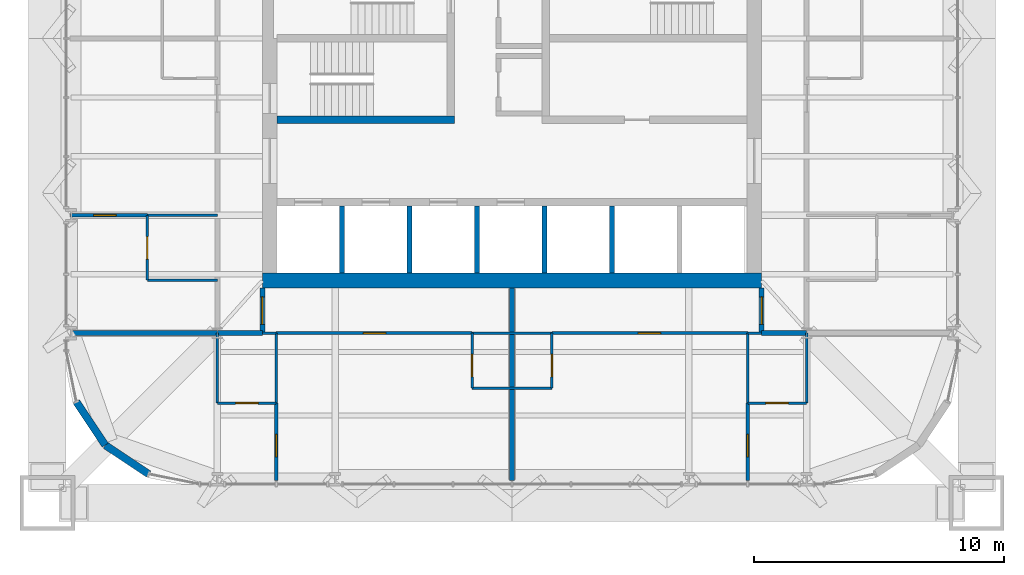
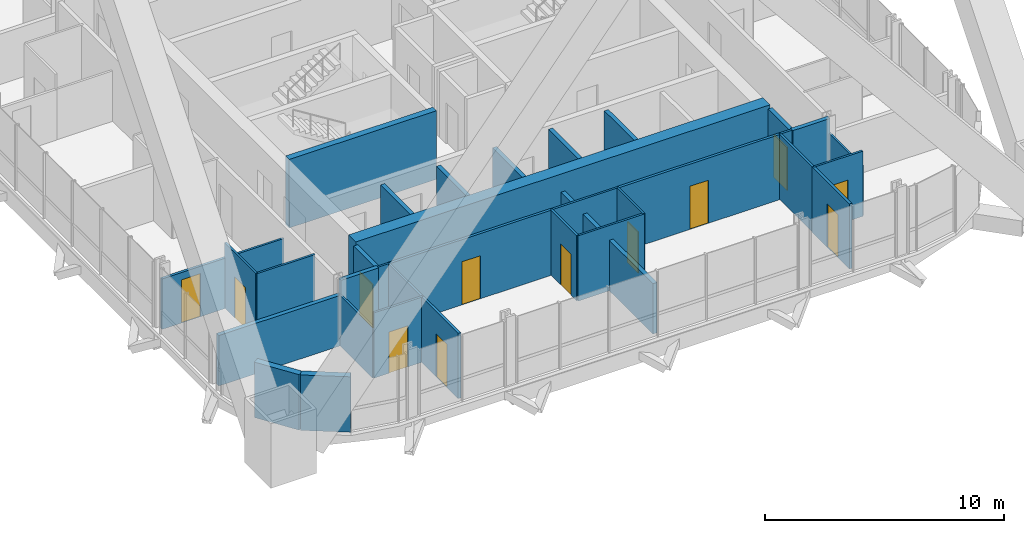
# One storey, part 19 of 23: 35 walls, 12 doors, 12 openings.
"""IFC4 building model written with IfcOpenShell, lengths in metres."""

from ifc_helpers import new_model, si_unit, direction, frame, frame_2d, origin, place, context, subcontext, project, spatial, rectangle, extrude, material, layer, layer_set, type_object, element, fill, save


model = new_model("IFC4")

# Units and contexts
model_context = context("Model", 3, precision=1e-05, world=origin(), true_north=direction((0.0, 1.0)))
body_context = subcontext(model_context, "Body", "Model", "MODEL_VIEW")
ifc_project = project(units=[si_unit("LENGTHUNIT", "METRE"), si_unit("AREAUNIT", "SQUARE_METRE"), si_unit("VOLUMEUNIT", "CUBIC_METRE"), si_unit("PLANEANGLEUNIT", "RADIAN"), si_unit("MASSUNIT", "GRAM", prefix="KILO")], contexts=[model_context])

# Site, building, storey
site_placement = place(None, origin())
site = spatial("IfcSite", under=ifc_project, at=site_placement, CompositionType="ELEMENT")
building_placement = place(site_placement, origin())
building = spatial("IfcBuilding", under=site, at=building_placement, Name="Turquesa Mirador Hotel Tower", CompositionType="ELEMENT")
storey_placement = place(building_placement, frame((0.0, 0.0, 226.699951171875)))
storey = spatial("IfcBuildingStorey", under=building, at=storey_placement, Name="L61", CompositionType="ELEMENT", Elevation=226.699951171875)

# Walls
ifc_material_1 = material(Name="Gypsum board on steel studs", Category="steel")
ifc_layer_1 = layer(ifc_material_1, 0.10009765625)
ifc_layer_set_1 = layer_set([ifc_layer_1], Name="BATHROOM WALL 100")
wall_type_1 = type_object("IfcWallType", Name="BATHROOM WALL 100", PredefinedType="PARTITIONING", material=ifc_layer_set_1)
wall_1_placement = place(storey_placement, frame((45.0, 33.199951171875, 0.0), z_axis=(0.0, 0.0, 1.0), x_axis=(1.0, 0.0, 0.0)))
element("IfcWall", 1, at=wall_1_placement, inside=storey, type_object=wall_type_1, Name="Partition L61 003", PredefinedType="PARTITIONING", context=body_context, shape_type="SweptSolid", body=[
    extrude(rectangle(XDim=0.56005859375, YDim=0.10009765625, at=frame_2d((0.280029296875, 0.0))), origin(), (0.0, 0.0, 1.0), 3.330078125),
])
wall_2_placement = place(storey_placement, frame((53.39990234375, 33.199951171875, 0.0), z_axis=(0.0, 0.0, 1.0), x_axis=(1.0, 0.0, 0.0)))
element("IfcWall", 2, at=wall_2_placement, inside=storey, type_object=wall_type_1, Name="Partition L61 004", PredefinedType="PARTITIONING", context=body_context, shape_type="SweptSolid", body=[
    extrude(rectangle(XDim=3.2001953125, YDim=0.10009765625, at=frame_2d((1.60009765625, 0.0))), origin(), (0.0, 0.0, 1.0), 3.330078125),
])
wall_3_placement = place(storey_placement, frame((64.43994140625, 33.199951171875, 0.0), z_axis=(0.0, 0.0, 1.0), x_axis=(1.0, 0.0, 0.0)))
element("IfcWall", 3, at=wall_3_placement, inside=storey, type_object=wall_type_1, Name="Partition L61 005", PredefinedType="PARTITIONING", context=body_context, shape_type="SweptSolid", body=[
    extrude(rectangle(XDim=0.56005859375, YDim=0.10009765625, at=frame_2d((0.280029296875, 0.0))), origin(), (0.0, 0.0, 1.0), 3.330078125),
])
wall_4_placement = place(storey_placement, frame((53.39990234375, 31.0, 0.0), z_axis=(0.0, 0.0, 1.0), x_axis=(1.0, 0.0, 0.0)))
element("IfcWall", 4, at=wall_4_placement, inside=storey, type_object=wall_type_1, Name="Partition L61 012", PredefinedType="PARTITIONING", context=body_context, shape_type="SweptSolid", body=[
    extrude(rectangle(XDim=3.2001953125, YDim=0.10009765625, at=frame_2d((1.60009765625, 0.0))), origin(), (0.0, 0.0, 1.0), 3.330078125),
])

# Wall, opening, door
wall_5_placement = place(storey_placement, frame((43.199951171875, 30.39990234375, 0.0), z_axis=(0.0, 0.0, 1.0), x_axis=(1.0, 0.0, 0.0)))
wall_5 = element("IfcWall", 5, at=wall_5_placement, inside=storey, type_object=wall_type_1, Name="Partition L61 013", PredefinedType="PARTITIONING", context=body_context, shape_type="SweptSolid", body=[
    extrude(rectangle(XDim=2.360107421875, YDim=0.10009765625, at=frame_2d((1.18017578125, 0.0))), origin(), (0.0, 0.0, 1.0), 3.330078125),
])
opening_1_placement = place(wall_5_placement, frame((0.72998046875, 0.0, 0.0)))
opening_1 = element("IfcOpeningElement", 6, at=opening_1_placement, cuts=wall_5, Name="Opening D02", PredefinedType="OPENING", context=body_context, shape_type="SweptSolid", body=[
    extrude(rectangle(XDim=0.89990234375, YDim=2.10009765625, at=frame_2d((0.449951171875, 1.050048828125))), frame((0.0, 0.06005859375, 0.0), z_axis=(0.0, -1.0, 0.0), x_axis=(1.0, 0.0, 0.0)), (0.0, 0.0, 1.0), 0.1201171875),
])
ifc_material_2 = material(Name="Timber veneered door", Category="wood")
door_type_1 = type_object("IfcDoorType", Name="DOOR 900X2100 EN-SUITE", OperationType="SINGLE_SWING_RIGHT", PredefinedType="DOOR", material=ifc_material_2)
door_1_placement = place(opening_1_placement, origin())
door_1 = element("IfcDoor", 7, at=door_1_placement, inside=storey, type_object=door_type_1, Name="Door 6103B", OperationType="SINGLE_SWING_RIGHT", OverallHeight=2.10009765625, OverallWidth=0.89990234375, PredefinedType="DOOR", context=body_context, shape_type="SweptSolid", body=[
    extrude(rectangle(XDim=0.89990234375, YDim=2.10009765625, at=frame_2d((0.449951171875, 1.050048828125))), frame((0.0, 0.02490234375, 0.0), z_axis=(0.0, -1.0, 0.0), x_axis=(1.0, 0.0, 0.0)), (0.0, 0.0, 1.0), 0.050048828125),
])
fill(opening_1, door_1)

wall_6_placement = place(storey_placement, frame((64.43994140625, 30.39990234375, 0.0), z_axis=(0.0, 0.0, 1.0), x_axis=(1.0, 0.0, 0.0)))
wall_6 = element("IfcWall", 8, at=wall_6_placement, inside=storey, type_object=wall_type_1, Name="Partition L61 014", PredefinedType="PARTITIONING", context=body_context, shape_type="SweptSolid", body=[
    extrude(rectangle(XDim=2.360107421875, YDim=0.10009765625, at=frame_2d((1.18017578125, 0.0))), origin(), (0.0, 0.0, 1.0), 3.330078125),
])
opening_2_placement = place(wall_6_placement, frame((0.72998046875, 0.0, 0.0)))
opening_2 = element("IfcOpeningElement", 9, at=opening_2_placement, cuts=wall_6, Name="Opening D02", PredefinedType="OPENING", context=body_context, shape_type="SweptSolid", body=[
    extrude(rectangle(XDim=0.89990234375, YDim=2.10009765625, at=frame_2d((0.449951171875, 1.050048828125))), frame((0.0, 0.06005859375, 0.0), z_axis=(0.0, -1.0, 0.0), x_axis=(1.0, 0.0, 0.0)), (0.0, 0.0, 1.0), 0.1201171875),
])
door_2_placement = place(opening_2_placement, origin())
door_2 = element("IfcDoor", 10, at=door_2_placement, inside=storey, type_object=door_type_1, Name="Door 6104B", OperationType="SINGLE_SWING_RIGHT", OverallHeight=2.10009765625, OverallWidth=0.89990234375, PredefinedType="DOOR", context=body_context, shape_type="SweptSolid", body=[
    extrude(rectangle(XDim=0.89990234375, YDim=2.10009765625, at=frame_2d((0.449951171875, 1.050048828125))), frame((0.0, 0.02490234375, 0.0), z_axis=(0.0, -1.0, 0.0), x_axis=(1.0, 0.0, 0.0)), (0.0, 0.0, 1.0), 0.050048828125),
])
fill(opening_2, door_2)

# Walls
wall_7_placement = place(storey_placement, frame((40.39990234375, 37.919921875, 0.0), z_axis=(0.0, 0.0, 1.0), x_axis=(1.0, 0.0, 0.0)))
element("IfcWall", 11, at=wall_7_placement, inside=storey, type_object=wall_type_1, Name="Partition L61 015", PredefinedType="PARTITIONING", context=body_context, shape_type="SweptSolid", body=[
    extrude(rectangle(XDim=2.800048828125, YDim=0.10009765625, at=frame_2d((1.39990234375, 0.0))), origin(), (0.0, 0.0, 1.0), 2.5732421875),
])
wall_8_placement = place(storey_placement, frame((40.39990234375, 35.320068359375, 0.0), z_axis=(0.0, 0.0, 1.0), x_axis=(1.0, 0.0, 0.0)))
element("IfcWall", 12, at=wall_8_placement, inside=storey, type_object=wall_type_1, Name="Partition L61 019", PredefinedType="PARTITIONING", context=body_context, shape_type="SweptSolid", body=[
    extrude(rectangle(XDim=2.800048828125, YDim=0.10009765625, at=frame_2d((1.39990234375, 0.0))), origin(), (0.0, 0.0, 1.0), 3.330078125),
])

# Wall, opening, door
wall_9_placement = place(storey_placement, frame((53.39990234375, 31.0, 0.0), z_axis=(0.0, 0.0, 1.0), x_axis=(0.0, 1.0, 0.0)))
wall_9 = element("IfcWall", 13, at=wall_9_placement, inside=storey, type_object=wall_type_1, Name="Partition L61 043", PredefinedType="PARTITIONING", context=body_context, shape_type="SweptSolid", body=[
    extrude(rectangle(XDim=2.199951171875, YDim=0.10009765625, at=frame_2d((1.10009765625, 0.0))), origin(), (0.0, 0.0, 1.0), 3.330078125),
])
opening_3_placement = place(wall_9_placement, frame((0.449951171875, 0.0, 0.0)))
opening_3 = element("IfcOpeningElement", 14, at=opening_3_placement, cuts=wall_9, Name="Opening D06", PredefinedType="OPENING", context=body_context, shape_type="SweptSolid", body=[
    extrude(rectangle(XDim=0.89990234375, YDim=2.10009765625, at=frame_2d((0.449951171875, 1.050048828125))), frame((0.0, 0.06005859375, 0.0), z_axis=(0.0, -1.0, 0.0), x_axis=(1.0, 0.0, 0.0)), (0.0, 0.0, 1.0), 0.1201171875),
])
ifc_material_3 = material(Name="Laminate door", Category="wood")
door_type_2 = type_object("IfcDoorType", Name="DOOR 900X2100 WC", OperationType="SINGLE_SWING_LEFT", PredefinedType="DOOR", material=ifc_material_3)
door_3_placement = place(opening_3_placement, origin())
door_3 = element("IfcDoor", 15, at=door_3_placement, inside=storey, type_object=door_type_2, Name="Door 6103W", OperationType="SINGLE_SWING_LEFT", OverallHeight=2.10009765625, OverallWidth=0.89990234375, PredefinedType="DOOR", context=body_context, shape_type="SweptSolid", body=[
    extrude(rectangle(XDim=0.89990234375, YDim=2.10009765625, at=frame_2d((0.449951171875, 1.050048828125))), frame((0.0, 0.02490234375, 0.0), z_axis=(0.0, -1.0, 0.0), x_axis=(1.0, 0.0, 0.0)), (0.0, 0.0, 1.0), 0.050048828125),
])
fill(opening_3, door_3)

# Wall
wall_10_placement = place(storey_placement, frame((43.199951171875, 30.39990234375, 0.0), z_axis=(0.0, 0.0, 1.0), x_axis=(0.0, 1.0, 0.0)))
element("IfcWall", 16, at=wall_10_placement, inside=storey, type_object=wall_type_1, Name="Partition L61 047", PredefinedType="PARTITIONING", context=body_context, shape_type="SweptSolid", body=[
    extrude(rectangle(XDim=2.800048828125, YDim=0.10009765625, at=frame_2d((1.39990234375, 0.0))), origin(), (0.0, 0.0, 1.0), 2.5732421875),
])

# Wall, opening, door
wall_11_placement = place(storey_placement, frame((40.39990234375, 35.320068359375, 0.0), z_axis=(0.0, 0.0, 1.0), x_axis=(0.0, 1.0, 0.0)))
wall_11 = element("IfcWall", 17, at=wall_11_placement, inside=storey, type_object=wall_type_1, Name="Partition L61 051", PredefinedType="PARTITIONING", context=body_context, shape_type="SweptSolid", body=[
    extrude(rectangle(XDim=2.599853515625, YDim=0.10009765625, at=frame_2d((1.2998046875, 0.0))), origin(), (0.0, 0.0, 1.0), 3.330078125),
])
opening_4_placement = place(wall_11_placement, frame((0.85009765625, 0.0, 0.0)))
opening_4 = element("IfcOpeningElement", 18, at=opening_4_placement, cuts=wall_11, Name="Opening D02", PredefinedType="OPENING", context=body_context, shape_type="SweptSolid", body=[
    extrude(rectangle(XDim=0.89990234375, YDim=2.10009765625, at=frame_2d((0.449951171875, 1.050048828125))), frame((0.0, 0.06005859375, 0.0), z_axis=(0.0, -1.0, 0.0), x_axis=(1.0, 0.0, 0.0)), (0.0, 0.0, 1.0), 0.1201171875),
])
door_4_placement = place(opening_4_placement, origin())
door_4 = element("IfcDoor", 19, at=door_4_placement, inside=storey, type_object=door_type_1, Name="Door 6107B", OperationType="SINGLE_SWING_RIGHT", OverallHeight=2.10009765625, OverallWidth=0.89990234375, PredefinedType="DOOR", context=body_context, shape_type="SweptSolid", body=[
    extrude(rectangle(XDim=0.89990234375, YDim=2.10009765625, at=frame_2d((0.449951171875, 1.050048828125))), frame((0.0, 0.02490234375, 0.0), z_axis=(0.0, -1.0, 0.0), x_axis=(1.0, 0.0, 0.0)), (0.0, 0.0, 1.0), 0.050048828125),
])
fill(opening_4, door_4)

# Wall
wall_12_placement = place(storey_placement, frame((45.56005859375, 30.39990234375, 0.0), z_axis=(0.0, 0.0, 1.0), x_axis=(0.0, 1.0, 0.0)))
element("IfcWall", 20, at=wall_12_placement, inside=storey, type_object=wall_type_1, Name="Partition L61 053", PredefinedType="PARTITIONING", context=body_context, shape_type="SweptSolid", body=[
    extrude(rectangle(XDim=2.800048828125, YDim=0.10009765625, at=frame_2d((1.39990234375, 0.0))), origin(), (0.0, 0.0, 1.0), 3.330078125),
])

# Wall, opening, door
wall_13_placement = place(storey_placement, frame((56.60009765625, 31.0, 0.0), z_axis=(0.0, 0.0, 1.0), x_axis=(0.0, 1.0, 0.0)))
wall_13 = element("IfcWall", 21, at=wall_13_placement, inside=storey, type_object=wall_type_1, Name="Partition L61 059", PredefinedType="PARTITIONING", context=body_context, shape_type="SweptSolid", body=[
    extrude(rectangle(XDim=2.199951171875, YDim=0.10009765625, at=frame_2d((1.10009765625, 0.0))), origin(), (0.0, 0.0, 1.0), 3.330078125),
])
opening_5_placement = place(wall_13_placement, frame((0.449951171875, 0.0, 0.0)))
opening_5 = element("IfcOpeningElement", 22, at=opening_5_placement, cuts=wall_13, Name="Opening D06", PredefinedType="OPENING", context=body_context, shape_type="SweptSolid", body=[
    extrude(rectangle(XDim=0.89990234375, YDim=2.10009765625, at=frame_2d((0.449951171875, 1.050048828125))), frame((0.0, 0.06005859375, 0.0), z_axis=(0.0, -1.0, 0.0), x_axis=(1.0, 0.0, 0.0)), (0.0, 0.0, 1.0), 0.1201171875),
])
door_5_placement = place(opening_5_placement, origin())
door_5 = element("IfcDoor", 23, at=door_5_placement, inside=storey, type_object=door_type_2, Name="Door 6104W", OperationType="SINGLE_SWING_LEFT", OverallHeight=2.10009765625, OverallWidth=0.89990234375, PredefinedType="DOOR", context=body_context, shape_type="SweptSolid", body=[
    extrude(rectangle(XDim=0.89990234375, YDim=2.10009765625, at=frame_2d((0.449951171875, 1.050048828125))), frame((0.0, 0.02490234375, 0.0), z_axis=(0.0, -1.0, 0.0), x_axis=(1.0, 0.0, 0.0)), (0.0, 0.0, 1.0), 0.050048828125),
])
fill(opening_5, door_5)

# Walls
wall_14_placement = place(storey_placement, frame((66.800048828125, 30.39990234375, 0.0), z_axis=(0.0, 0.0, 1.0), x_axis=(0.0, 1.0, 0.0)))
element("IfcWall", 24, at=wall_14_placement, inside=storey, type_object=wall_type_1, Name="Partition L61 063", PredefinedType="PARTITIONING", context=body_context, shape_type="SweptSolid", body=[
    extrude(rectangle(XDim=2.800048828125, YDim=0.10009765625, at=frame_2d((1.39990234375, 0.0))), origin(), (0.0, 0.0, 1.0), 2.5732421875),
])
wall_15_placement = place(storey_placement, frame((64.43994140625, 30.39990234375, 0.0), z_axis=(0.0, 0.0, 1.0), x_axis=(0.0, 1.0, 0.0)))
element("IfcWall", 25, at=wall_15_placement, inside=storey, type_object=wall_type_1, Name="Partition L61 069", PredefinedType="PARTITIONING", context=body_context, shape_type="SweptSolid", body=[
    extrude(rectangle(XDim=2.800048828125, YDim=0.10009765625, at=frame_2d((1.39990234375, 0.0))), origin(), (0.0, 0.0, 1.0), 3.330078125),
])
ifc_material_4 = material(Name="Concrete C50/60", Category="concrete")
ifc_layer_2 = layer(ifc_material_4, 0.300048828125)
ifc_layer_set_2 = layer_set([ifc_layer_2], Name="CORE INNER WALL 300")
wall_type_2 = type_object("IfcWallType", Name="CORE INNER WALL 300", PredefinedType="SHEAR", material=ifc_layer_set_2)
wall_16_placement = place(storey_placement, frame((45.60009765625, 41.75, 0.0), z_axis=(0.0, 0.0, 1.0), x_axis=(1.0, 0.0, 0.0)))
element("IfcWall", 26, at=wall_16_placement, inside=storey, type_object=wall_type_2, Name="Core wall MS-W", PredefinedType="SHEAR", context=body_context, shape_type="SweptSolid", body=[
    extrude(rectangle(XDim=7.099853515625, YDim=0.300048828125, at=frame_2d((3.5498046875, 0.0))), origin(), (0.0, 0.0, 1.0), 3.5),
])
ifc_material_5 = material(Name="Concrete C50/60", Category="concrete")
ifc_layer_3 = layer(ifc_material_5, 0.60009765625)
ifc_layer_set_3 = layer_set([ifc_layer_3], Name="CORE WALL 600")
wall_type_3 = type_object("IfcWallType", Name="CORE WALL 600", PredefinedType="SHEAR", material=ifc_layer_set_3)
wall_17_placement = place(storey_placement, frame((45.0, 35.300048828125, 0.0), z_axis=(0.0, 0.0, 1.0), x_axis=(1.0, 0.0, 0.0)))
element("IfcWall", 27, at=wall_17_placement, inside=storey, type_object=wall_type_3, Name="Core wall S", PredefinedType="SHEAR", context=body_context, shape_type="SweptSolid", body=[
    extrude(rectangle(XDim=20.0, YDim=0.60009765625, at=frame_2d((10.0, 0.0))), origin(), (0.0, 0.0, 1.0), 3.5),
])
ifc_material_6 = material(Name="Fire-rated gypsum board on steel studs", Category="steel")
ifc_layer_4 = layer(ifc_material_6, 0.199951171875)
ifc_layer_set_4 = layer_set([ifc_layer_4], Name="CORRIDOR WALL 200")
wall_type_4 = type_object("IfcWallType", Name="CORRIDOR WALL 200", PredefinedType="PARTITIONING", material=ifc_layer_set_4)
for number, where, z_axis, x_axis, name in (
    (28, (43.199951171875, 33.199951171875, 0.0), (0.0, 0.0, 1.0), (1.0, 0.0, 0.0), "Partition L61 006"),
    (29, (65.0, 33.199951171875, 0.0), (0.0, 0.0, 1.0), (1.0, 0.0, 0.0), "Partition L61 007"),
):
    element("IfcWall", number, at=place(storey_placement, frame(where, z_axis=z_axis, x_axis=x_axis)), inside=storey, type_object=wall_type_4, Name=name, PredefinedType="PARTITIONING", context=body_context, shape_type="SweptSolid", body=[
        extrude(rectangle(XDim=1.800048828125, YDim=0.199951171875, at=frame_2d((0.89990234375, 0.0))), origin(), (0.0, 0.0, 1.0), 3.330078125),
    ])

# Wall, opening, door
wall_18_placement = place(storey_placement, frame((45.0, 33.199951171875, 0.0), z_axis=(0.0, 0.0, 1.0), x_axis=(0.0, 1.0, 0.0)))
wall_18 = element("IfcWall", 30, at=wall_18_placement, inside=storey, type_object=wall_type_4, Name="Partition L61 045", PredefinedType="PARTITIONING", context=body_context, shape_type="SweptSolid", body=[
    extrude(rectangle(XDim=1.800048828125, YDim=0.199951171875, at=frame_2d((0.89990234375, 0.0))), origin(), (0.0, 0.0, 1.0), 3.330078125),
])
opening_6_placement = place(wall_18_placement, frame((0.35009765625, 0.0, 0.0)))
opening_6 = element("IfcOpeningElement", 31, at=opening_6_placement, cuts=wall_18, Name="Opening D15", PredefinedType="OPENING", context=body_context, shape_type="SweptSolid", body=[
    extrude(rectangle(XDim=1.10009765625, YDim=2.199951171875, at=frame_2d((0.550048828125, 1.10009765625))), frame((0.0, 0.10986328125, 0.0), z_axis=(0.0, -1.0, 0.0), x_axis=(1.0, 0.0, 0.0)), (0.0, 0.0, 1.0), 0.219970703125),
])
ifc_material_7 = material(Name="Timber veneered fire door", Category="wood")
door_type_3 = type_object("IfcDoorType", Name="DOOR 1100X2200 SUITE ENTRY", OperationType="SINGLE_SWING_LEFT", PredefinedType="DOOR", material=ifc_material_7)
door_6_placement = place(opening_6_placement, origin())
door_6 = element("IfcDoor", 32, at=door_6_placement, inside=storey, type_object=door_type_3, Name="Door 6103G", OperationType="SINGLE_SWING_LEFT", OverallHeight=2.199951171875, OverallWidth=1.10009765625, PredefinedType="DOOR", context=body_context, shape_type="SweptSolid", body=[
    extrude(rectangle(XDim=1.10009765625, YDim=2.199951171875, at=frame_2d((0.550048828125, 1.10009765625))), frame((0.0, 0.02490234375, 0.0), z_axis=(0.0, -1.0, 0.0), x_axis=(1.0, 0.0, 0.0)), (0.0, 0.0, 1.0), 0.050048828125),
])
fill(opening_6, door_6)

wall_19_placement = place(storey_placement, frame((65.0, 33.199951171875, 0.0), z_axis=(0.0, 0.0, 1.0), x_axis=(0.0, 1.0, 0.0)))
wall_19 = element("IfcWall", 33, at=wall_19_placement, inside=storey, type_object=wall_type_4, Name="Partition L61 061", PredefinedType="PARTITIONING", context=body_context, shape_type="SweptSolid", body=[
    extrude(rectangle(XDim=1.800048828125, YDim=0.199951171875, at=frame_2d((0.89990234375, 0.0))), origin(), (0.0, 0.0, 1.0), 3.330078125),
])
opening_7_placement = place(wall_19_placement, frame((0.35009765625, 0.0, 0.0)))
opening_7 = element("IfcOpeningElement", 34, at=opening_7_placement, cuts=wall_19, Name="Opening D15", PredefinedType="OPENING", context=body_context, shape_type="SweptSolid", body=[
    extrude(rectangle(XDim=1.10009765625, YDim=2.199951171875, at=frame_2d((0.550048828125, 1.10009765625))), frame((0.0, 0.10986328125, 0.0), z_axis=(0.0, -1.0, 0.0), x_axis=(1.0, 0.0, 0.0)), (0.0, 0.0, 1.0), 0.219970703125),
])
door_7_placement = place(opening_7_placement, origin())
door_7 = element("IfcDoor", 35, at=door_7_placement, inside=storey, type_object=door_type_3, Name="Door 6104G", OperationType="SINGLE_SWING_LEFT", OverallHeight=2.199951171875, OverallWidth=1.10009765625, PredefinedType="DOOR", context=body_context, shape_type="SweptSolid", body=[
    extrude(rectangle(XDim=1.10009765625, YDim=2.199951171875, at=frame_2d((0.550048828125, 1.10009765625))), frame((0.0, 0.02490234375, 0.0), z_axis=(0.0, -1.0, 0.0), x_axis=(1.0, 0.0, 0.0)), (0.0, 0.0, 1.0), 0.050048828125),
])
fill(opening_7, door_7)

# Walls
ifc_material_8 = material(Name="Limestone cladding on concrete block", Category="masonry")
ifc_layer_5 = layer(ifc_material_8, 0.300048828125)
ifc_layer_set_5 = layer_set([ifc_layer_5], Name="FACADE WALL 300 STONE PIER")
wall_type_5 = type_object("IfcWallType", Name="FACADE WALL 300 STONE PIER", PredefinedType="SOLIDWALL", material=ifc_layer_set_5)
for number, where, z_axis, x_axis, name in (
    (36, (37.55712890625, 30.45263671875, 0.0), (0.0, 0.0, 1.0), (0.555644460423, -0.831420010345, 0.0), "Facade wall L61 bay CWS-L61-06 01"),
    (37, (38.717041015625, 28.717041015625, 0.0), (0.0, 0.0, 1.0), (0.831420010345, -0.555644460423, 0.0), "Facade wall L61 bay CWS-L61-06 02"),
):
    element("IfcWall", number, at=place(storey_placement, frame(where, z_axis=z_axis, x_axis=x_axis)), inside=storey, type_object=wall_type_5, Name=name, PredefinedType="SOLIDWALL", context=body_context, shape_type="SweptSolid", body=[
        extrude(rectangle(XDim=2.08740234375, YDim=0.300048828125, at=frame_2d((1.043701171875, 0.0))), origin(), (0.0, 0.0, 1.0), 2.830078125),
    ])
ifc_material_9 = material(Name="Fire-rated gypsum shaft wall on steel studs", Category="steel")
ifc_layer_6 = layer(ifc_material_9, 0.199951171875)
ifc_layer_set_6 = layer_set([ifc_layer_6], Name="LIFT SHAFT DIVIDER 200")
wall_type_6 = type_object("IfcWallType", Name="LIFT SHAFT DIVIDER 200", PredefinedType="PARTITIONING", material=ifc_layer_set_6)
for number, where, z_axis, x_axis, name in (
    (38, (48.199951171875, 35.60009765625, 0.0), (0.0, 0.0, 1.0), (0.0, 1.0, 0.0), "Lift shaft divider"),
    (39, (50.89990234375, 35.60009765625, 0.0), (0.0, 0.0, 1.0), (0.0, 1.0, 0.0), "Lift shaft divider"),
    (40, (53.60009765625, 35.60009765625, 0.0), (0.0, 0.0, 1.0), (0.0, 1.0, 0.0), "Lift shaft divider"),
    (41, (56.300048828125, 35.60009765625, 0.0), (0.0, 0.0, 1.0), (0.0, 1.0, 0.0), "Lift shaft divider"),
    (42, (59.0, 35.60009765625, 0.0), (0.0, 0.0, 1.0), (0.0, 1.0, 0.0), "Lift shaft divider"),
):
    element("IfcWall", number, at=place(storey_placement, frame(where, z_axis=z_axis, x_axis=x_axis)), inside=storey, type_object=wall_type_6, Name=name, PredefinedType="PARTITIONING", context=body_context, shape_type="SweptSolid", body=[
        extrude(rectangle(XDim=2.699951171875, YDim=0.199951171875, at=frame_2d((1.35009765625, 0.0))), origin(), (0.0, 0.0, 1.0), 3.330078125),
    ])
ifc_material_10 = material(Name="Fire-rated gypsum board on steel studs", Category="steel")
ifc_layer_7 = layer(ifc_material_10, 0.199951171875)
ifc_layer_set_7 = layer_set([ifc_layer_7], Name="PARTY WALL 200")
wall_type_7 = type_object("IfcWallType", Name="PARTY WALL 200", PredefinedType="PARTITIONING", material=ifc_layer_set_7)
wall_20_placement = place(storey_placement, frame((37.300048828125, 33.199951171875, 0.0), z_axis=(0.0, 0.0, 1.0), x_axis=(1.0, 0.0, 0.0)))
element("IfcWall", 43, at=wall_20_placement, inside=storey, type_object=wall_type_7, Name="Partition L61 008", PredefinedType="PARTITIONING", context=body_context, shape_type="SweptSolid", body=[
    extrude(rectangle(XDim=5.89990234375, YDim=0.199951171875, at=frame_2d((2.949951171875, 0.0))), origin(), (0.0, 0.0, 1.0), 2.5732421875),
])
wall_21_placement = place(storey_placement, frame((55.0, 27.300048828125, 0.0), z_axis=(0.0, 0.0, 1.0), x_axis=(0.0, 1.0, 0.0)))
element("IfcWall", 44, at=wall_21_placement, inside=storey, type_object=wall_type_7, Name="Partition L61 057", PredefinedType="PARTITIONING", context=body_context, shape_type="SweptSolid", body=[
    extrude(rectangle(XDim=7.699951171875, YDim=0.199951171875, at=frame_2d((3.85009765625, 0.0))), origin(), (0.0, 0.0, 1.0), 2.5732421875),
])

# Wall, opening, door
ifc_material_11 = material(Name="Acoustic gypsum board on steel studs", Category="steel")
ifc_layer_8 = layer(ifc_material_11, 0.125)
ifc_layer_set_8 = layer_set([ifc_layer_8], Name="SUITE PARTITION 125")
wall_type_8 = type_object("IfcWallType", Name="SUITE PARTITION 125", PredefinedType="PARTITIONING", material=ifc_layer_set_8)
wall_22_placement = place(storey_placement, frame((45.56005859375, 33.199951171875, 0.0), z_axis=(0.0, 0.0, 1.0), x_axis=(1.0, 0.0, 0.0)))
wall_22 = element("IfcWall", 45, at=wall_22_placement, inside=storey, type_object=wall_type_8, Name="Partition L61 010", PredefinedType="PARTITIONING", context=body_context, shape_type="SweptSolid", body=[
    extrude(rectangle(XDim=7.83984375, YDim=0.125, at=frame_2d((3.919921875, 0.0))), origin(), (0.0, 0.0, 1.0), 3.330078125),
])
opening_8_placement = place(wall_22_placement, frame((3.489990234375, 0.0, 0.0)))
opening_8 = element("IfcOpeningElement", 46, at=opening_8_placement, cuts=wall_22, Name="Opening D17", PredefinedType="OPENING", context=body_context, shape_type="SweptSolid", body=[
    extrude(rectangle(XDim=0.89990234375, YDim=2.199951171875, at=frame_2d((0.449951171875, 1.10009765625))), frame((0.0, 0.072509765625, 0.0), z_axis=(0.0, -1.0, 0.0), x_axis=(1.0, 0.0, 0.0)), (0.0, 0.0, 1.0), 0.14501953125),
])
ifc_material_12 = material(Name="Timber veneered door", Category="wood")
door_type_4 = type_object("IfcDoorType", Name="DOOR 900X2200 SUITE INTERNAL", OperationType="SINGLE_SWING_LEFT", PredefinedType="DOOR", material=ifc_material_12)
door_8_placement = place(opening_8_placement, origin())
door_8 = element("IfcDoor", 47, at=door_8_placement, inside=storey, type_object=door_type_4, Name="Door 6103", OperationType="SINGLE_SWING_LEFT", OverallHeight=2.199951171875, OverallWidth=0.89990234375, PredefinedType="DOOR", context=body_context, shape_type="SweptSolid", body=[
    extrude(rectangle(XDim=0.89990234375, YDim=2.199951171875, at=frame_2d((0.449951171875, 1.10009765625))), frame((0.0, 0.02490234375, 0.0), z_axis=(0.0, -1.0, 0.0), x_axis=(1.0, 0.0, 0.0)), (0.0, 0.0, 1.0), 0.050048828125),
])
fill(opening_8, door_8)

wall_23_placement = place(storey_placement, frame((56.60009765625, 33.199951171875, 0.0), z_axis=(0.0, 0.0, 1.0), x_axis=(1.0, 0.0, 0.0)))
wall_23 = element("IfcWall", 48, at=wall_23_placement, inside=storey, type_object=wall_type_8, Name="Partition L61 011", PredefinedType="PARTITIONING", context=body_context, shape_type="SweptSolid", body=[
    extrude(rectangle(XDim=7.83984375, YDim=0.125, at=frame_2d((3.919921875, 0.0))), origin(), (0.0, 0.0, 1.0), 3.330078125),
])
opening_9_placement = place(wall_23_placement, frame((3.449951171875, 0.0, 0.0)))
opening_9 = element("IfcOpeningElement", 49, at=opening_9_placement, cuts=wall_23, Name="Opening D17", PredefinedType="OPENING", context=body_context, shape_type="SweptSolid", body=[
    extrude(rectangle(XDim=0.89990234375, YDim=2.199951171875, at=frame_2d((0.449951171875, 1.10009765625))), frame((0.0, 0.072509765625, 0.0), z_axis=(0.0, -1.0, 0.0), x_axis=(1.0, 0.0, 0.0)), (0.0, 0.0, 1.0), 0.14501953125),
])
door_9_placement = place(opening_9_placement, origin())
door_9 = element("IfcDoor", 50, at=door_9_placement, inside=storey, type_object=door_type_4, Name="Door 6104", OperationType="SINGLE_SWING_LEFT", OverallHeight=2.199951171875, OverallWidth=0.89990234375, PredefinedType="DOOR", context=body_context, shape_type="SweptSolid", body=[
    extrude(rectangle(XDim=0.89990234375, YDim=2.199951171875, at=frame_2d((0.449951171875, 1.10009765625))), frame((0.0, 0.02490234375, 0.0), z_axis=(0.0, -1.0, 0.0), x_axis=(1.0, 0.0, 0.0)), (0.0, 0.0, 1.0), 0.050048828125),
])
fill(opening_9, door_9)

wall_24_placement = place(storey_placement, frame((37.300048828125, 37.919921875, 0.0), z_axis=(0.0, 0.0, 1.0), x_axis=(1.0, 0.0, 0.0)))
wall_24 = element("IfcWall", 51, at=wall_24_placement, inside=storey, type_object=wall_type_8, Name="Partition L61 017", PredefinedType="PARTITIONING", context=body_context, shape_type="SweptSolid", body=[
    extrude(rectangle(XDim=3.099853515625, YDim=0.125, at=frame_2d((1.5498046875, 0.0))), origin(), (0.0, 0.0, 1.0), 2.5732421875),
])
opening_10_placement = place(wall_24_placement, frame((0.949951171875, 0.0, 0.0)))
opening_10 = element("IfcOpeningElement", 52, at=opening_10_placement, cuts=wall_24, Name="Opening D17", PredefinedType="OPENING", context=body_context, shape_type="SweptSolid", body=[
    extrude(rectangle(XDim=0.89990234375, YDim=2.199951171875, at=frame_2d((0.449951171875, 1.10009765625))), frame((0.0, 0.072509765625, 0.0), z_axis=(0.0, -1.0, 0.0), x_axis=(1.0, 0.0, 0.0)), (0.0, 0.0, 1.0), 0.14501953125),
])
door_10_placement = place(opening_10_placement, origin())
door_10 = element("IfcDoor", 53, at=door_10_placement, inside=storey, type_object=door_type_4, Name="Door 6107R", OperationType="SINGLE_SWING_LEFT", OverallHeight=2.199951171875, OverallWidth=0.89990234375, PredefinedType="DOOR", context=body_context, shape_type="SweptSolid", body=[
    extrude(rectangle(XDim=0.89990234375, YDim=2.199951171875, at=frame_2d((0.449951171875, 1.10009765625))), frame((0.0, 0.02490234375, 0.0), z_axis=(0.0, -1.0, 0.0), x_axis=(1.0, 0.0, 0.0)), (0.0, 0.0, 1.0), 0.050048828125),
])
fill(opening_10, door_10)

wall_25_placement = place(storey_placement, frame((45.56005859375, 27.300048828125, 0.0), z_axis=(0.0, 0.0, 1.0), x_axis=(0.0, 1.0, 0.0)))
wall_25 = element("IfcWall", 54, at=wall_25_placement, inside=storey, type_object=wall_type_8, Name="Partition L61 055", PredefinedType="PARTITIONING", context=body_context, shape_type="SweptSolid", body=[
    extrude(rectangle(XDim=3.099853515625, YDim=0.125, at=frame_2d((1.5498046875, 0.0))), origin(), (0.0, 0.0, 1.0), 3.330078125),
])
opening_11_placement = place(wall_25_placement, frame((0.949951171875, 0.0, 0.0)))
opening_11 = element("IfcOpeningElement", 55, at=opening_11_placement, cuts=wall_25, Name="Opening D17", PredefinedType="OPENING", context=body_context, shape_type="SweptSolid", body=[
    extrude(rectangle(XDim=0.89990234375, YDim=2.199951171875, at=frame_2d((0.449951171875, 1.10009765625))), frame((0.0, 0.072509765625, 0.0), z_axis=(0.0, -1.0, 0.0), x_axis=(1.0, 0.0, 0.0)), (0.0, 0.0, 1.0), 0.14501953125),
])
door_11_placement = place(opening_11_placement, origin())
door_11 = element("IfcDoor", 56, at=door_11_placement, inside=storey, type_object=door_type_4, Name="Door 6103R", OperationType="SINGLE_SWING_LEFT", OverallHeight=2.199951171875, OverallWidth=0.89990234375, PredefinedType="DOOR", context=body_context, shape_type="SweptSolid", body=[
    extrude(rectangle(XDim=0.89990234375, YDim=2.199951171875, at=frame_2d((0.449951171875, 1.10009765625))), frame((0.0, 0.02490234375, 0.0), z_axis=(0.0, -1.0, 0.0), x_axis=(1.0, 0.0, 0.0)), (0.0, 0.0, 1.0), 0.050048828125),
])
fill(opening_11, door_11)

wall_26_placement = place(storey_placement, frame((64.43994140625, 27.300048828125, 0.0), z_axis=(0.0, 0.0, 1.0), x_axis=(0.0, 1.0, 0.0)))
wall_26 = element("IfcWall", 57, at=wall_26_placement, inside=storey, type_object=wall_type_8, Name="Partition L61 071", PredefinedType="PARTITIONING", context=body_context, shape_type="SweptSolid", body=[
    extrude(rectangle(XDim=3.099853515625, YDim=0.125, at=frame_2d((1.5498046875, 0.0))), origin(), (0.0, 0.0, 1.0), 3.330078125),
])
opening_12_placement = place(wall_26_placement, frame((0.949951171875, 0.0, 0.0)))
opening_12 = element("IfcOpeningElement", 58, at=opening_12_placement, cuts=wall_26, Name="Opening D17", PredefinedType="OPENING", context=body_context, shape_type="SweptSolid", body=[
    extrude(rectangle(XDim=0.89990234375, YDim=2.199951171875, at=frame_2d((0.449951171875, 1.10009765625))), frame((0.0, 0.072509765625, 0.0), z_axis=(0.0, -1.0, 0.0), x_axis=(1.0, 0.0, 0.0)), (0.0, 0.0, 1.0), 0.14501953125),
])
door_12_placement = place(opening_12_placement, origin())
door_12 = element("IfcDoor", 59, at=door_12_placement, inside=storey, type_object=door_type_4, Name="Door 6104R", OperationType="SINGLE_SWING_LEFT", OverallHeight=2.199951171875, OverallWidth=0.89990234375, PredefinedType="DOOR", context=body_context, shape_type="SweptSolid", body=[
    extrude(rectangle(XDim=0.89990234375, YDim=2.199951171875, at=frame_2d((0.449951171875, 1.10009765625))), frame((0.0, 0.02490234375, 0.0), z_axis=(0.0, -1.0, 0.0), x_axis=(1.0, 0.0, 0.0)), (0.0, 0.0, 1.0), 0.050048828125),
])
fill(opening_12, door_12)

save(model, "model.ifc")
